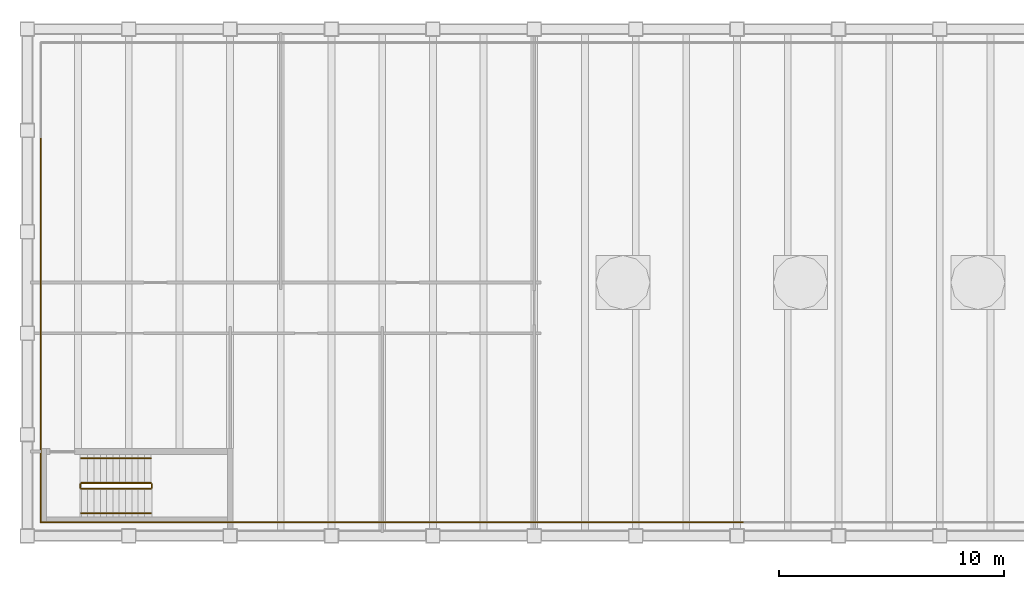
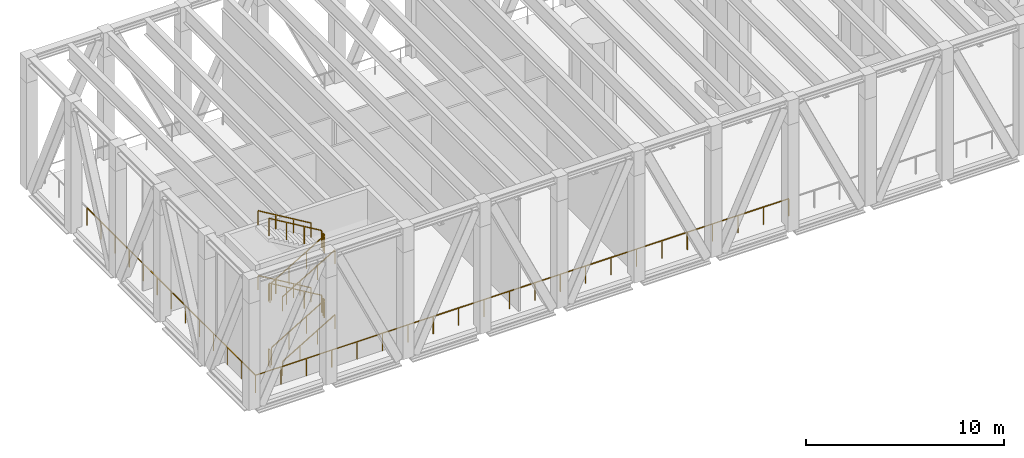
# One storey, part 6 of 11: 23 railings.
"""IFC4 building model written with IfcOpenShell, lengths in metres."""

from ifc_helpers import new_model, si_unit, direction, frame, origin, origin_2d, place, context, subcontext, project, spatial, rectangle, extrude, material, type_object, element, save


model = new_model("IFC4")

# Units and contexts
model_context = context("Model", 3, precision=1e-05, world=origin(), true_north=direction((0.0, 1.0)))
body_context = subcontext(model_context, "Body", "Model", "MODEL_VIEW")
ifc_project = project(units=[si_unit("LENGTHUNIT", "METRE"), si_unit("AREAUNIT", "SQUARE_METRE"), si_unit("VOLUMEUNIT", "CUBIC_METRE"), si_unit("PLANEANGLEUNIT", "RADIAN"), si_unit("MASSUNIT", "GRAM", prefix="KILO")], contexts=[model_context])

# Site, building, storey
site_placement = place(None, origin())
site = spatial("IfcSite", under=ifc_project, at=site_placement, CompositionType="ELEMENT")
building_placement = place(site_placement, origin())
building = spatial("IfcBuilding", under=site, at=building_placement, Name="Sennacour Bend Tower", CompositionType="ELEMENT")
storey_placement = place(building_placement, frame((0.0, 0.0, 297.0)))
storey = spatial("IfcBuildingStorey", under=building, at=storey_placement, Name="L69", CompositionType="ELEMENT", Elevation=297.0)

# Railings
ifc_material_1 = material(Name="Stainless steel 316", Category="steel")
railing_type_1 = type_object("IfcRailingType", Name="GUARD 1100", PredefinedType="GUARDRAIL", material=ifc_material_1)
for number, where, name in (
    (1, (0.60009765625, 0.60009765625, 0.0), "Guard L69"),
    (2, (0.60009765625, 4.860107421875, 0.0), "Guard L69"),
):
    element("IfcRailing", number, at=place(storey_placement, frame(where)), inside=storey, type_object=railing_type_1, Name=name, PredefinedType="GUARDRAIL", context=body_context, shape_type="SweptSolid", body=[
        extrude(rectangle(XDim=0.048095703125, YDim=0.048095703125, at=origin_2d()), frame((0.0, 0.0, 1.076171875), z_axis=(0.0, 1.0, 0.0), x_axis=(-1.0, 0.0, 0.0)), (0.0, 0.0, 1.0), 4.260009765625),
        extrude(rectangle(XDim=0.0419921875, YDim=0.0419921875, at=origin_2d()), origin(), (0.0, 0.0, 1.0), 1.052001953125),
        extrude(rectangle(XDim=0.0419921875, YDim=0.0419921875, at=origin_2d()), frame((0.0, 1.419921875, 0.0)), (0.0, 0.0, 1.0), 1.052001953125),
        extrude(rectangle(XDim=0.0419921875, YDim=0.0419921875, at=origin_2d()), frame((0.0, 2.840087890625, 0.0)), (0.0, 0.0, 1.0), 1.052001953125),
        extrude(rectangle(XDim=0.0419921875, YDim=0.0419921875, at=origin_2d()), frame((0.0, 4.260009765625, 0.0)), (0.0, 0.0, 1.0), 1.052001953125),
    ])
railing_1_placement = place(storey_placement, frame((0.60009765625, 9.1201171875, 0.0)))
element("IfcRailing", 3, at=railing_1_placement, inside=storey, type_object=railing_type_1, Name="Guard L69", PredefinedType="GUARDRAIL", context=body_context, shape_type="SweptSolid", body=[
    extrude(rectangle(XDim=0.048095703125, YDim=0.048095703125, at=origin_2d()), frame((0.0, 0.0, 1.076171875), z_axis=(0.0, 1.0, 0.0), x_axis=(-1.0, 0.0, 0.0)), (0.0, 0.0, 1.0), 4.259765625),
    extrude(rectangle(XDim=0.0419921875, YDim=0.0419921875, at=origin_2d()), origin(), (0.0, 0.0, 1.0), 1.052001953125),
    extrude(rectangle(XDim=0.0419921875, YDim=0.0419921875, at=origin_2d()), frame((0.0, 1.419921875, 0.0)), (0.0, 0.0, 1.0), 1.052001953125),
    extrude(rectangle(XDim=0.0419921875, YDim=0.0419921875, at=origin_2d()), frame((0.0, 2.83984375, 0.0)), (0.0, 0.0, 1.0), 1.052001953125),
    extrude(rectangle(XDim=0.0419921875, YDim=0.0419921875, at=origin_2d()), frame((0.0, 4.259765625, 0.0)), (0.0, 0.0, 1.0), 1.052001953125),
])
railing_2_placement = place(storey_placement, frame((0.60009765625, 13.3798828125, 0.0)))
element("IfcRailing", 4, at=railing_2_placement, inside=storey, type_object=railing_type_1, Name="Guard L69", PredefinedType="GUARDRAIL", context=body_context, shape_type="SweptSolid", body=[
    extrude(rectangle(XDim=0.048095703125, YDim=0.048095703125, at=origin_2d()), frame((0.0, 0.0, 1.076171875), z_axis=(0.0, 1.0, 0.0), x_axis=(-1.0, 0.0, 0.0)), (0.0, 0.0, 1.0), 4.260009765625),
    extrude(rectangle(XDim=0.0419921875, YDim=0.0419921875, at=origin_2d()), origin(), (0.0, 0.0, 1.0), 1.052001953125),
    extrude(rectangle(XDim=0.0419921875, YDim=0.0419921875, at=origin_2d()), frame((0.0, 1.419921875, 0.0)), (0.0, 0.0, 1.0), 1.052001953125),
    extrude(rectangle(XDim=0.0419921875, YDim=0.0419921875, at=origin_2d()), frame((0.0, 2.840087890625, 0.0)), (0.0, 0.0, 1.0), 1.052001953125),
    extrude(rectangle(XDim=0.0419921875, YDim=0.0419921875, at=origin_2d()), frame((0.0, 4.260009765625, 0.0)), (0.0, 0.0, 1.0), 1.052001953125),
])
for number, where, name in (
    (5, (31.74951171875, 0.60009765625, 0.0), "Guard L69"),
    (6, (27.299560546875, 0.60009765625, 0.0), "Guard L69"),
    (7, (22.849609375, 0.60009765625, 0.0), "Guard L69"),
    (8, (18.399658203125, 0.60009765625, 0.0), "Guard L69"),
    (9, (13.94970703125, 0.60009765625, 0.0), "Guard L69"),
    (10, (9.499755859375, 0.60009765625, 0.0), "Guard L69"),
):
    element("IfcRailing", number, at=place(storey_placement, frame(where)), inside=storey, type_object=railing_type_1, Name=name, PredefinedType="GUARDRAIL", context=body_context, shape_type="SweptSolid", body=[
        extrude(rectangle(XDim=0.048095703125, YDim=0.048095703125, at=origin_2d()), frame((0.0, 0.0, 1.076171875), z_axis=(-1.0, 0.0, 0.0), x_axis=(0.0, -1.0, 0.0)), (0.0, 0.0, 1.0), 4.449951171875),
        extrude(rectangle(XDim=0.0419921875, YDim=0.0419921875, at=origin_2d()), origin(), (0.0, 0.0, 1.0), 1.052001953125),
        extrude(rectangle(XDim=0.0419921875, YDim=0.0419921875, at=origin_2d()), frame((-1.4833984375, 0.0, 0.0)), (0.0, 0.0, 1.0), 1.052001953125),
        extrude(rectangle(XDim=0.0419921875, YDim=0.0419921875, at=origin_2d()), frame((-2.966552734375, 0.0, 0.0)), (0.0, 0.0, 1.0), 1.052001953125),
        extrude(rectangle(XDim=0.0419921875, YDim=0.0419921875, at=origin_2d()), frame((-4.449951171875, 0.0, 0.0)), (0.0, 0.0, 1.0), 1.052001953125),
    ])
railing_3_placement = place(storey_placement, frame((5.0498046875, 0.60009765625, 0.0)))
element("IfcRailing", 11, at=railing_3_placement, inside=storey, type_object=railing_type_1, Name="Guard L69", PredefinedType="GUARDRAIL", context=body_context, shape_type="SweptSolid", body=[
    extrude(rectangle(XDim=0.048095703125, YDim=0.048095703125, at=origin_2d()), frame((0.0, 0.0, 1.076171875), z_axis=(-1.0, 0.0, 0.0), x_axis=(0.0, -1.0, 0.0)), (0.0, 0.0, 1.0), 4.44970703125),
    extrude(rectangle(XDim=0.0419921875, YDim=0.0419921875, at=origin_2d()), origin(), (0.0, 0.0, 1.0), 1.052001953125),
    extrude(rectangle(XDim=0.0419921875, YDim=0.0419921875, at=origin_2d()), frame((-1.483154296875, 0.0, 0.0)), (0.0, 0.0, 1.0), 1.052001953125),
    extrude(rectangle(XDim=0.0419921875, YDim=0.0419921875, at=origin_2d()), frame((-2.966552734375, 0.0, 0.0)), (0.0, 0.0, 1.0), 1.052001953125),
    extrude(rectangle(XDim=0.0419921875, YDim=0.0419921875, at=origin_2d()), frame((-4.44970703125, 0.0, 0.0)), (0.0, 0.0, 1.0), 1.052001953125),
])
ifc_material_2 = material(Name="Stainless steel", Category="steel")
railing_type_2 = type_object("IfcRailingType", Name="RL-GUARD-1100", PredefinedType="GUARDRAIL", material=ifc_material_2)
railing_4_placement = place(storey_placement, frame((2.39990234375, 2.10009765625, 0.166748046875)))
element("IfcRailing", 12, at=railing_4_placement, inside=storey, type_object=railing_type_2, Name="L69 SK1 stair guard 1", PredefinedType="GUARDRAIL", context=body_context, shape_type="SweptSolid", body=[
    extrude(rectangle(XDim=0.048095703125, YDim=0.048095703125, at=origin_2d()), frame((0.0, 0.0, 1.076171875), z_axis=(0.859308565015, 0.0, 0.511457515432), x_axis=(0.0, 1.0, 0.0)), (0.0, 0.0, 1.0), 3.58447265625),
    extrude(rectangle(XDim=0.0419921875, YDim=0.0419921875, at=origin_2d()), origin(), (0.0, 0.0, 1.0), 1.052001953125),
    extrude(rectangle(XDim=0.0419921875, YDim=0.0419921875, at=origin_2d()), frame((1.026611328125, 0.0, 0.611083984375)), (0.0, 0.0, 1.0), 1.052001953125),
    extrude(rectangle(XDim=0.0419921875, YDim=0.0419921875, at=origin_2d()), frame((2.053466796875, 0.0, 1.22216796875)), (0.0, 0.0, 1.0), 1.052001953125),
    extrude(rectangle(XDim=0.0419921875, YDim=0.0419921875, at=origin_2d()), frame((3.080078125, 0.0, 1.833251953125)), (0.0, 0.0, 1.0), 1.052001953125),
])
railing_5_placement = place(storey_placement, frame((5.530029296875, 2.14990234375, 2.0)))
element("IfcRailing", 13, at=railing_5_placement, inside=storey, type_object=railing_type_2, Name="L69 SK1 stair guard 2", PredefinedType="GUARDRAIL", context=body_context, shape_type="SweptSolid", body=[
    extrude(rectangle(XDim=0.048095703125, YDim=0.048095703125, at=origin_2d()), frame((0.0, 0.0, 1.076171875), z_axis=(0.0, 1.0, 0.0), x_axis=(-1.0, 0.0, 0.0)), (0.0, 0.0, 1.0), 0.150146484375),
    extrude(rectangle(XDim=0.0419921875, YDim=0.0419921875, at=origin_2d()), origin(), (0.0, 0.0, 1.0), 1.052001953125),
    extrude(rectangle(XDim=0.0419921875, YDim=0.0419921875, at=origin_2d()), frame((0.0, 0.150146484375, 0.0)), (0.0, 0.0, 1.0), 1.052001953125),
])
railing_6_placement = place(storey_placement, frame((5.47998046875, 2.35009765625, 2.166748046875)))
element("IfcRailing", 14, at=railing_6_placement, inside=storey, type_object=railing_type_2, Name="L69 SK1 stair guard 3", PredefinedType="GUARDRAIL", context=body_context, shape_type="SweptSolid", body=[
    extrude(rectangle(XDim=0.048095703125, YDim=0.048095703125, at=origin_2d()), frame((0.0, 0.0, 1.076171875), z_axis=(-0.859308565015, 0.0, 0.511457515432), x_axis=(0.0, -1.0, 0.0)), (0.0, 0.0, 1.0), 3.58447265625),
    extrude(rectangle(XDim=0.0419921875, YDim=0.0419921875, at=origin_2d()), origin(), (0.0, 0.0, 1.0), 1.052001953125),
    extrude(rectangle(XDim=0.0419921875, YDim=0.0419921875, at=origin_2d()), frame((-1.026611328125, 0.0, 0.611083984375)), (0.0, 0.0, 1.0), 1.052001953125),
    extrude(rectangle(XDim=0.0419921875, YDim=0.0419921875, at=origin_2d()), frame((-2.053466796875, 0.0, 1.22216796875)), (0.0, 0.0, 1.0), 1.052001953125),
    extrude(rectangle(XDim=0.0419921875, YDim=0.0419921875, at=origin_2d()), frame((-3.080078125, 0.0, 1.833251953125)), (0.0, 0.0, 1.0), 1.052001953125),
])
railing_7_placement = place(storey_placement, frame((2.35009765625, 2.14990234375, 4.0)))
element("IfcRailing", 15, at=railing_7_placement, inside=storey, type_object=railing_type_2, Name="L69 SK1 stair guard 4", PredefinedType="GUARDRAIL", context=body_context, shape_type="SweptSolid", body=[
    extrude(rectangle(XDim=0.048095703125, YDim=0.048095703125, at=origin_2d()), frame((0.0, 0.0, 1.076171875), z_axis=(0.0, 1.0, 0.0), x_axis=(-1.0, 0.0, 0.0)), (0.0, 0.0, 1.0), 0.150146484375),
    extrude(rectangle(XDim=0.0419921875, YDim=0.0419921875, at=origin_2d()), origin(), (0.0, 0.0, 1.0), 1.052001953125),
    extrude(rectangle(XDim=0.0419921875, YDim=0.0419921875, at=origin_2d()), frame((0.0, 0.150146484375, 0.0)), (0.0, 0.0, 1.0), 1.052001953125),
])
railing_8_placement = place(storey_placement, frame((2.39990234375, 2.10009765625, 4.166748046875)))
element("IfcRailing", 16, at=railing_8_placement, inside=storey, type_object=railing_type_2, Name="L69 SK1 stair guard 5", PredefinedType="GUARDRAIL", context=body_context, shape_type="SweptSolid", body=[
    extrude(rectangle(XDim=0.048095703125, YDim=0.048095703125, at=origin_2d()), frame((0.0, 0.0, 1.076171875), z_axis=(0.859308565015, 0.0, 0.511457515432), x_axis=(0.0, 1.0, 0.0)), (0.0, 0.0, 1.0), 3.58447265625),
    extrude(rectangle(XDim=0.0419921875, YDim=0.0419921875, at=origin_2d()), origin(), (0.0, 0.0, 1.0), 1.052001953125),
    extrude(rectangle(XDim=0.0419921875, YDim=0.0419921875, at=origin_2d()), frame((1.026611328125, 0.0, 0.611083984375)), (0.0, 0.0, 1.0), 1.052001953125),
    extrude(rectangle(XDim=0.0419921875, YDim=0.0419921875, at=origin_2d()), frame((2.053466796875, 0.0, 1.22216796875)), (0.0, 0.0, 1.0), 1.052001953125),
    extrude(rectangle(XDim=0.0419921875, YDim=0.0419921875, at=origin_2d()), frame((3.080078125, 0.0, 1.833251953125)), (0.0, 0.0, 1.0), 1.052001953125),
])
railing_9_placement = place(storey_placement, frame((5.530029296875, 2.14990234375, 6.0)))
element("IfcRailing", 17, at=railing_9_placement, inside=storey, type_object=railing_type_2, Name="L69 SK1 stair guard 6", PredefinedType="GUARDRAIL", context=body_context, shape_type="SweptSolid", body=[
    extrude(rectangle(XDim=0.048095703125, YDim=0.048095703125, at=origin_2d()), frame((0.0, 0.0, 1.076171875), z_axis=(0.0, 1.0, 0.0), x_axis=(-1.0, 0.0, 0.0)), (0.0, 0.0, 1.0), 0.150146484375),
    extrude(rectangle(XDim=0.0419921875, YDim=0.0419921875, at=origin_2d()), origin(), (0.0, 0.0, 1.0), 1.052001953125),
    extrude(rectangle(XDim=0.0419921875, YDim=0.0419921875, at=origin_2d()), frame((0.0, 0.150146484375, 0.0)), (0.0, 0.0, 1.0), 1.052001953125),
])
railing_10_placement = place(storey_placement, frame((5.47998046875, 2.35009765625, 6.166748046875)))
element("IfcRailing", 18, at=railing_10_placement, inside=storey, type_object=railing_type_2, Name="L69 SK1 stair guard 7", PredefinedType="GUARDRAIL", context=body_context, shape_type="SweptSolid", body=[
    extrude(rectangle(XDim=0.048095703125, YDim=0.048095703125, at=origin_2d()), frame((0.0, 0.0, 1.076171875), z_axis=(-0.859308565015, 0.0, 0.511457515432), x_axis=(0.0, -1.0, 0.0)), (0.0, 0.0, 1.0), 3.58447265625),
    extrude(rectangle(XDim=0.0419921875, YDim=0.0419921875, at=origin_2d()), origin(), (0.0, 0.0, 1.0), 1.052001953125),
    extrude(rectangle(XDim=0.0419921875, YDim=0.0419921875, at=origin_2d()), frame((-1.026611328125, 0.0, 0.611083984375)), (0.0, 0.0, 1.0), 1.052001953125),
    extrude(rectangle(XDim=0.0419921875, YDim=0.0419921875, at=origin_2d()), frame((-2.053466796875, 0.0, 1.22216796875)), (0.0, 0.0, 1.0), 1.052001953125),
    extrude(rectangle(XDim=0.0419921875, YDim=0.0419921875, at=origin_2d()), frame((-3.080078125, 0.0, 1.833251953125)), (0.0, 0.0, 1.0), 1.052001953125),
])
railing_11_placement = place(storey_placement, frame((2.35009765625, 2.14990234375, 0.0)))
element("IfcRailing", 19, at=railing_11_placement, inside=storey, type_object=railing_type_2, Name="L69 SK1 stair guard 8", PredefinedType="GUARDRAIL", context=body_context, shape_type="SweptSolid", body=[
    extrude(rectangle(XDim=0.048095703125, YDim=0.048095703125, at=origin_2d()), frame((0.0, 0.0, 1.076171875), z_axis=(0.0, 1.0, 0.0), x_axis=(-1.0, 0.0, 0.0)), (0.0, 0.0, 1.0), 0.150146484375),
    extrude(rectangle(XDim=0.0419921875, YDim=0.0419921875, at=origin_2d()), origin(), (0.0, 0.0, 1.0), 1.052001953125),
    extrude(rectangle(XDim=0.0419921875, YDim=0.0419921875, at=origin_2d()), frame((0.0, 0.150146484375, 0.0)), (0.0, 0.0, 1.0), 1.052001953125),
])
railing_type_3 = type_object("IfcRailingType", Name="RL-HANDRAIL-900", PredefinedType="HANDRAIL", material=ifc_material_2)
railing_12_placement = place(storey_placement, frame((2.39990234375, 1.0, 0.166748046875)))
element("IfcRailing", 20, at=railing_12_placement, inside=storey, type_object=railing_type_3, Name="L69 SK1 stair handrail 1", PredefinedType="HANDRAIL", context=body_context, shape_type="SweptSolid", body=[
    extrude(rectangle(XDim=0.048095703125, YDim=0.048095703125, at=origin_2d()), frame((0.0, 0.0, 0.8759765625), z_axis=(0.859308565015, 0.0, 0.511457515432), x_axis=(0.0, 1.0, 0.0)), (0.0, 0.0, 1.0), 3.58447265625),
    extrude(rectangle(XDim=0.0419921875, YDim=0.0419921875, at=origin_2d()), origin(), (0.0, 0.0, 1.0), 0.851806640625),
    extrude(rectangle(XDim=0.0419921875, YDim=0.0419921875, at=origin_2d()), frame((1.026611328125, 0.0, 0.611083984375)), (0.0, 0.0, 1.0), 0.851806640625),
    extrude(rectangle(XDim=0.0419921875, YDim=0.0419921875, at=origin_2d()), frame((2.053466796875, 0.0, 1.22216796875)), (0.0, 0.0, 1.0), 0.851806640625),
    extrude(rectangle(XDim=0.0419921875, YDim=0.0419921875, at=origin_2d()), frame((3.080078125, 0.0, 1.833251953125)), (0.0, 0.0, 1.0), 0.851806640625),
])
railing_13_placement = place(storey_placement, frame((5.47998046875, 3.449951171875, 2.166748046875)))
element("IfcRailing", 21, at=railing_13_placement, inside=storey, type_object=railing_type_3, Name="L69 SK1 stair handrail 2", PredefinedType="HANDRAIL", context=body_context, shape_type="SweptSolid", body=[
    extrude(rectangle(XDim=0.048095703125, YDim=0.048095703125, at=origin_2d()), frame((0.0, 0.0, 0.8759765625), z_axis=(-0.859308565015, 0.0, 0.511457515432), x_axis=(0.0, -1.0, 0.0)), (0.0, 0.0, 1.0), 3.58447265625),
    extrude(rectangle(XDim=0.0419921875, YDim=0.0419921875, at=origin_2d()), origin(), (0.0, 0.0, 1.0), 0.851806640625),
    extrude(rectangle(XDim=0.0419921875, YDim=0.0419921875, at=origin_2d()), frame((-1.026611328125, 0.0, 0.611083984375)), (0.0, 0.0, 1.0), 0.851806640625),
    extrude(rectangle(XDim=0.0419921875, YDim=0.0419921875, at=origin_2d()), frame((-2.053466796875, 0.0, 1.22216796875)), (0.0, 0.0, 1.0), 0.851806640625),
    extrude(rectangle(XDim=0.0419921875, YDim=0.0419921875, at=origin_2d()), frame((-3.080078125, 0.0, 1.833251953125)), (0.0, 0.0, 1.0), 0.851806640625),
])
railing_14_placement = place(storey_placement, frame((2.39990234375, 1.0, 4.166748046875)))
element("IfcRailing", 22, at=railing_14_placement, inside=storey, type_object=railing_type_3, Name="L69 SK1 stair handrail 3", PredefinedType="HANDRAIL", context=body_context, shape_type="SweptSolid", body=[
    extrude(rectangle(XDim=0.048095703125, YDim=0.048095703125, at=origin_2d()), frame((0.0, 0.0, 0.8759765625), z_axis=(0.859308565015, 0.0, 0.511457515432), x_axis=(0.0, 1.0, 0.0)), (0.0, 0.0, 1.0), 3.58447265625),
    extrude(rectangle(XDim=0.0419921875, YDim=0.0419921875, at=origin_2d()), origin(), (0.0, 0.0, 1.0), 0.851806640625),
    extrude(rectangle(XDim=0.0419921875, YDim=0.0419921875, at=origin_2d()), frame((1.026611328125, 0.0, 0.611083984375)), (0.0, 0.0, 1.0), 0.851806640625),
    extrude(rectangle(XDim=0.0419921875, YDim=0.0419921875, at=origin_2d()), frame((2.053466796875, 0.0, 1.22216796875)), (0.0, 0.0, 1.0), 0.851806640625),
    extrude(rectangle(XDim=0.0419921875, YDim=0.0419921875, at=origin_2d()), frame((3.080078125, 0.0, 1.833251953125)), (0.0, 0.0, 1.0), 0.851806640625),
])
railing_15_placement = place(storey_placement, frame((5.47998046875, 3.449951171875, 6.166748046875)))
element("IfcRailing", 23, at=railing_15_placement, inside=storey, type_object=railing_type_3, Name="L69 SK1 stair handrail 4", PredefinedType="HANDRAIL", context=body_context, shape_type="SweptSolid", body=[
    extrude(rectangle(XDim=0.048095703125, YDim=0.048095703125, at=origin_2d()), frame((0.0, 0.0, 0.8759765625), z_axis=(-0.859308565015, 0.0, 0.511457515432), x_axis=(0.0, -1.0, 0.0)), (0.0, 0.0, 1.0), 3.58447265625),
    extrude(rectangle(XDim=0.0419921875, YDim=0.0419921875, at=origin_2d()), origin(), (0.0, 0.0, 1.0), 0.851806640625),
    extrude(rectangle(XDim=0.0419921875, YDim=0.0419921875, at=origin_2d()), frame((-1.026611328125, 0.0, 0.611083984375)), (0.0, 0.0, 1.0), 0.851806640625),
    extrude(rectangle(XDim=0.0419921875, YDim=0.0419921875, at=origin_2d()), frame((-2.053466796875, 0.0, 1.22216796875)), (0.0, 0.0, 1.0), 0.851806640625),
    extrude(rectangle(XDim=0.0419921875, YDim=0.0419921875, at=origin_2d()), frame((-3.080078125, 0.0, 1.833251953125)), (0.0, 0.0, 1.0), 0.851806640625),
])

save(model, "model.ifc")
